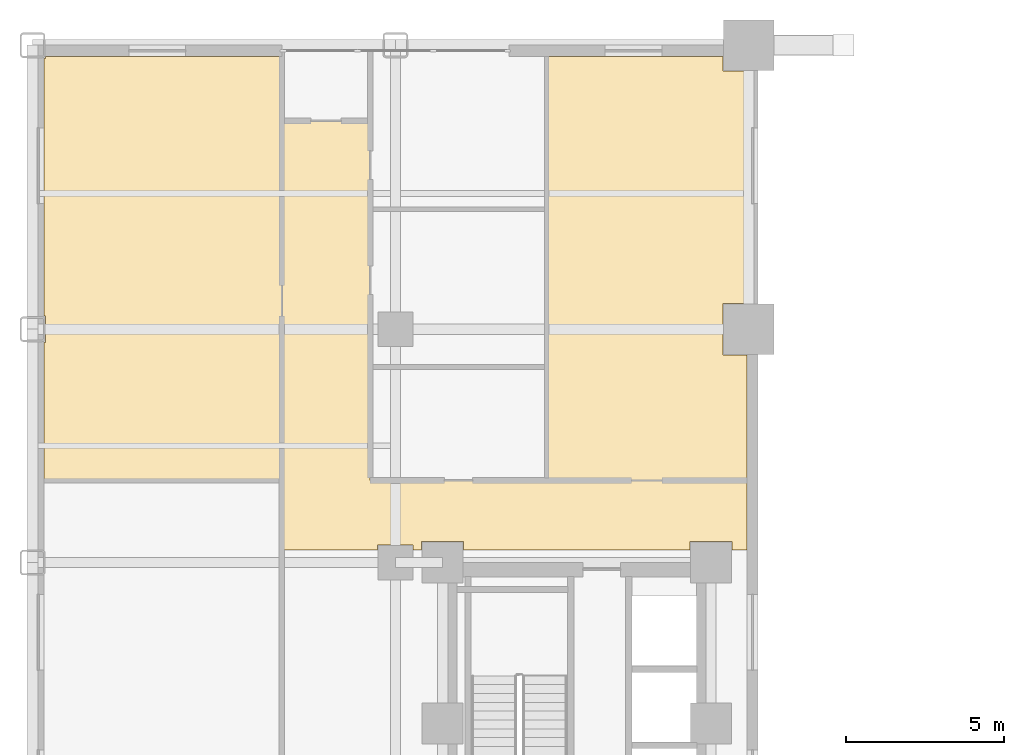
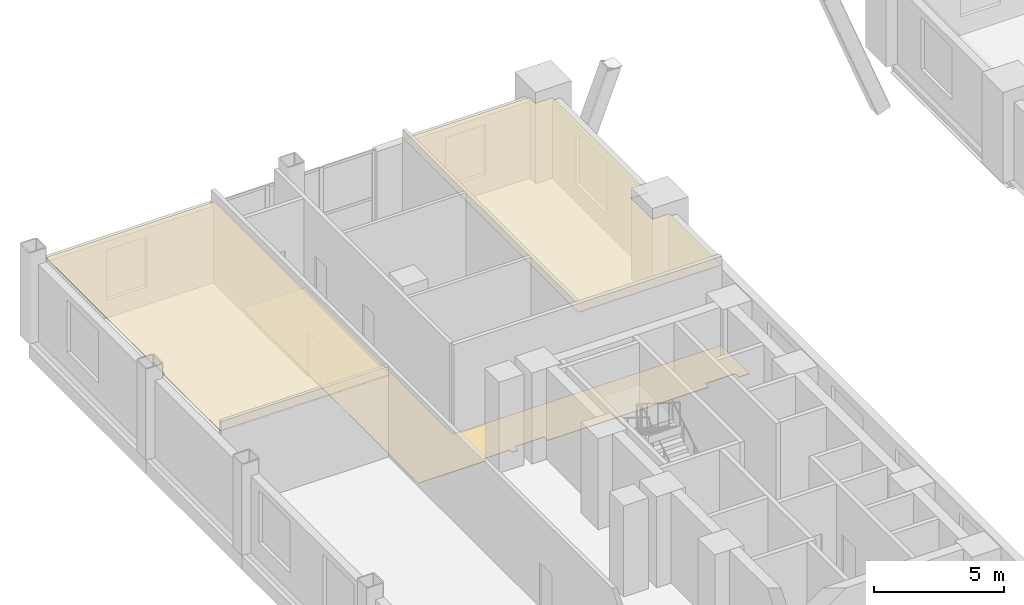
# One storey, part 14 of 15: 3 coverings.
"""IFC4 building model written with IfcOpenShell, lengths in metres."""

from ifc_helpers import new_model, si_unit, direction, frame, origin, place, context, subcontext, project, spatial, polyline, outline, extrude, material, layer, layer_set, type_object, element, save


model = new_model("IFC4")

# Units and contexts
model_context = context("Model", 3, precision=1e-05, world=origin(), true_north=direction((0.0, 1.0)))
body_context = subcontext(model_context, "Body", "Model", "MODEL_VIEW")
ifc_project = project(units=[si_unit("LENGTHUNIT", "METRE"), si_unit("AREAUNIT", "SQUARE_METRE"), si_unit("VOLUMEUNIT", "CUBIC_METRE"), si_unit("PLANEANGLEUNIT", "RADIAN"), si_unit("MASSUNIT", "GRAM", prefix="KILO")], contexts=[model_context])

# Site, building, storey
site_placement = place(None, origin())
site = spatial("IfcSite", under=ifc_project, at=site_placement, CompositionType="ELEMENT")
building_placement = place(site_placement, origin())
building = spatial("IfcBuilding", under=site, at=building_placement, Name="Nuvemarco Arch Tower", CompositionType="ELEMENT")
storey_placement = place(building_placement, frame((0.0, 0.0, 9.199951171875)))
storey = spatial("IfcBuildingStorey", under=building, at=storey_placement, Name="L02", CompositionType="ELEMENT", Elevation=9.199951171875)

# Coverings
ifc_material_1 = material(Name="Mineral acoustic ceiling tile")
ifc_layer_1 = layer(ifc_material_1, 0.0400390625, Name="COV-ACOUSTIC-CLG")
ifc_layer_set_1 = layer_set([ifc_layer_1], Name="Mineral acoustic ceiling tile")
covering_type_1 = type_object("IfcCoveringType", Name="COV-ACOUSTIC-CLG", PredefinedType="CEILING", material=ifc_layer_set_1)
covering_1_placement = place(storey_placement, frame((0.0, 0.0, 3.760009765625)))
element("IfcCovering", 1, at=covering_1_placement, inside=storey, type_object=covering_type_1, Name="L02 suspended acoustic ceiling 5", PredefinedType="CEILING", context=body_context, shape_type="SweptSolid", body=[
    extrude(outline(polyline([(-30.0849609375, 25.5849609375), (-30.0849609375, 25.639892578125), (-22.60009765625, 25.639892578125), (-22.60009765625, 23.60009765625), (-22.60009765625, 12.199951171875), (-30.139892578125, 12.199951171875), (-30.139892578125, 16.5849609375), (-30.0849609375, 16.5849609375), (-30.0849609375, 17.4150390625), (-30.139892578125, 17.4150390625), (-30.139892578125, 25.5849609375), (-30.0849609375, 25.5849609375)])), origin(), (0.0, 0.0, 1.0), 0.0400390625),
])
covering_2_placement = place(storey_placement, frame((0.0, 0.0, 3.760009765625)))
element("IfcCovering", 2, at=covering_2_placement, inside=storey, type_object=covering_type_1, Name="L02 suspended acoustic ceiling 7", PredefinedType="CEILING", context=body_context, shape_type="SweptSolid", body=[
    extrude(outline(polyline([(-8.614990234375, 25.18505859375), (-7.860107421875, 25.18505859375), (-7.860107421875, 17.81494140625), (-8.614990234375, 17.81494140625), (-8.614990234375, 16.18505859375), (-7.860107421875, 16.18505859375), (-7.860107421875, 12.199951171875), (-14.199951171875, 12.199951171875), (-14.199951171875, 15.800048828125), (-14.199951171875, 20.800048828125), (-14.199951171875, 25.639892578125), (-8.614990234375, 25.639892578125), (-8.614990234375, 25.18505859375)])), origin(), (0.0, 0.0, 1.0), 0.0400390625),
])
ifc_material_2 = material(Name="Polished granite terrazzostone flooring", Category="masonry")
ifc_layer_2 = layer(ifc_material_2, 0.02001953125, Name="COV-LOBBY-FLR")
ifc_layer_set_2 = layer_set([ifc_layer_2], Name="Polished granite terrazzostone flooring")
covering_type_2 = type_object("IfcCoveringType", Name="COV-LOBBY-FLR", PredefinedType="FLOORING", material=ifc_layer_set_2)
covering_3_placement = place(storey_placement, origin())
element("IfcCovering", 3, at=covering_3_placement, inside=storey, type_object=covering_type_2, Name="L02 polished terrazzo lobby flooring", PredefinedType="FLOORING", context=body_context, shape_type="SweptSolid", body=[
    extrude(outline(polyline([(-22.60009765625, 23.60009765625), (-19.800048828125, 23.60009765625), (-19.800048828125, 12.199951171875), (-7.860107421875, 12.199951171875), (-7.860107421875, 10.0), (-8.3349609375, 10.0), (-8.3349609375, 10.264892578125), (-9.6650390625, 10.264892578125), (-9.6650390625, 10.0), (-16.8349609375, 10.0), (-16.8349609375, 10.264892578125), (-18.1650390625, 10.264892578125), (-18.1650390625, 10.0), (-18.43505859375, 10.0), (-18.43505859375, 10.1650390625), (-19.56494140625, 10.1650390625), (-19.56494140625, 10.0), (-22.60009765625, 10.0), (-22.60009765625, 12.199951171875), (-22.60009765625, 23.60009765625)])), origin(), (0.0, 0.0, 1.0), 0.02001953125),
])

save(model, "model.ifc")
